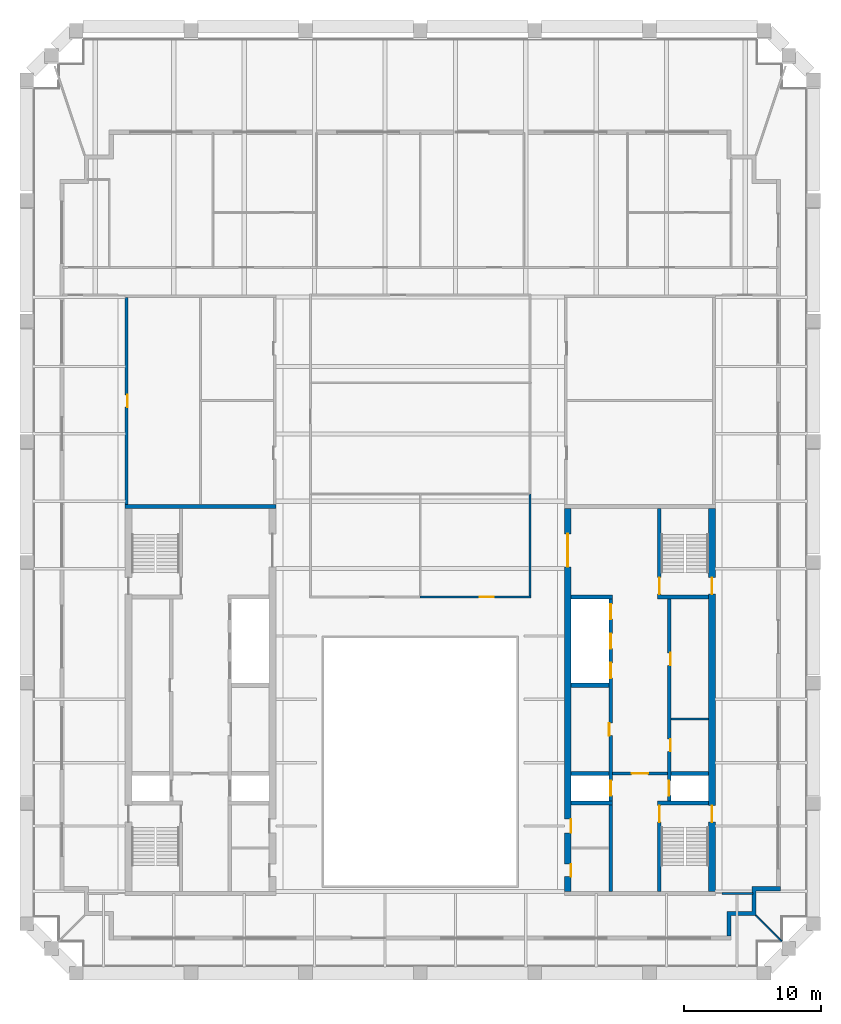
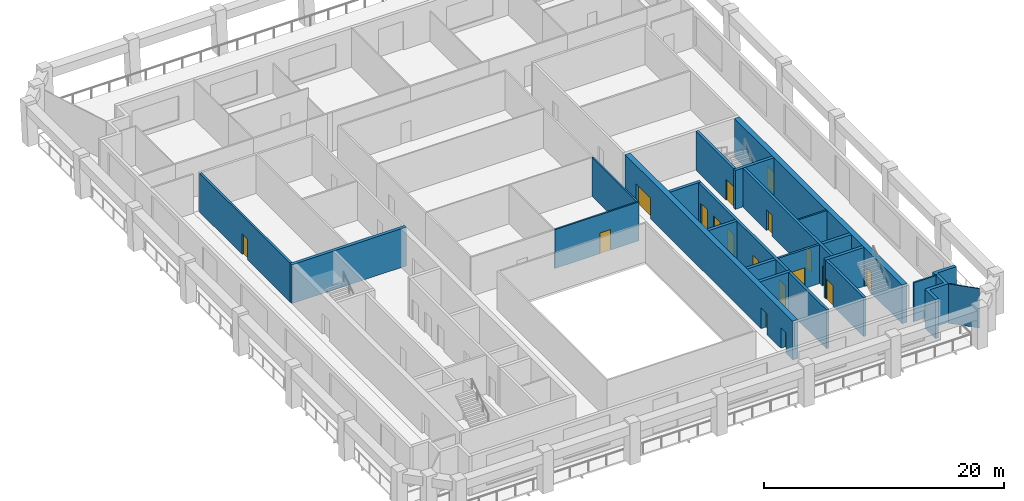
# One storey, part 4 of 9: 22 walls, 18 doors, 18 openings.
"""IFC4 building model written with IfcOpenShell, lengths in metres."""

from ifc_helpers import new_model, si_unit, direction, frame, frame_2d, origin, place, context, subcontext, project, spatial, polyline, rectangle, outline, extrude, material, layer, layer_set, type_object, element, fill, save


model = new_model("IFC4")

# Units and contexts
model_context = context("Model", 3, precision=1e-05, world=origin(), true_north=direction((0.0, 1.0)))
body_context = subcontext(model_context, "Body", "Model", "MODEL_VIEW")
ifc_project = project(units=[si_unit("LENGTHUNIT", "METRE"), si_unit("AREAUNIT", "SQUARE_METRE"), si_unit("VOLUMEUNIT", "CUBIC_METRE"), si_unit("PLANEANGLEUNIT", "RADIAN"), si_unit("MASSUNIT", "GRAM", prefix="KILO")], contexts=[model_context])

# Site, building, storey
site_placement = place(None, origin())
site = spatial("IfcSite", under=ifc_project, at=site_placement, CompositionType="ELEMENT")
building_placement = place(site_placement, origin())
building = spatial("IfcBuilding", under=site, at=building_placement, Name="Ogive Exchange Tower", CompositionType="ELEMENT")
storey_placement = place(building_placement, frame((0.0, 0.0, 355.199951171875)))
storey = spatial("IfcBuildingStorey", under=building, at=storey_placement, Name="L78", CompositionType="ELEMENT", Elevation=355.199951171875)

# Wall
ifc_material_1 = material(Name="Gypsum board partition")
ifc_layer_1 = layer(ifc_material_1, 0.14990234375)
ifc_layer_set_1 = layer_set([ifc_layer_1], Name="Core room partition 150 gypsum")
wall_type_1 = type_object("IfcWallType", Name="Core room partition 150 gypsum", PredefinedType="PARTITIONING", material=ifc_layer_set_1)
wall_1_placement = place(storey_placement, frame((18.25, 10.10009765625, 0.0), z_axis=(0.0, 0.0, 1.0), x_axis=(1.0, 0.0, 0.0)))
element("IfcWall", 1, at=wall_1_placement, inside=storey, type_object=wall_type_1, Name="E row A bay partition 1-1", PredefinedType="PARTITIONING", context=body_context, shape_type="SweptSolid", body=[
    extrude(rectangle(XDim=2.75, YDim=0.14990234375, at=frame_2d((1.375, 0.0))), origin(), (0.0, 0.0, 1.0), 3.949951171875),
])

# Wall, opening, door
ifc_material_2 = material(Name="Fire partition EI 60 150")
ifc_layer_2 = layer(ifc_material_2, 0.14990234375)
ifc_layer_set_2 = layer_set([ifc_layer_2], Name="Fire partition EI 60 150")
wall_type_2 = type_object("IfcWallType", Name="Fire partition EI 60 150", PredefinedType="PARTITIONING", material=ifc_layer_set_2)
wall_2_placement = place(storey_placement, frame((0.0, 19.0, 0.0), z_axis=(0.0, 0.0, 1.0), x_axis=(1.0, 0.0, 0.0)))
wall_2 = element("IfcWall", 2, at=wall_2_placement, inside=storey, type_object=wall_type_2, Name="L78-PWL-022", PredefinedType="PARTITIONING", context=body_context, shape_type="SweptSolid", body=[
    extrude(rectangle(XDim=8.074951171875, YDim=0.14990234375, at=frame_2d((4.03759765625, 0.0))), origin(), (0.0, 0.0, 1.0), 3.949951171875),
])
opening_1_placement = place(wall_2_placement, frame((4.35009765625, 0.0, 0.0)))
opening_1 = element("IfcOpeningElement", 3, at=opening_1_placement, cuts=wall_2, Name="Opening L78-I13", PredefinedType="OPENING", context=body_context, shape_type="SweptSolid", body=[
    extrude(rectangle(XDim=1.0, YDim=2.10009765625, at=frame_2d((0.5, 1.050048828125))), frame((0.0, 0.0849609375, 0.0), z_axis=(0.0, -1.0, 0.0), x_axis=(1.0, 0.0, 0.0)), (0.0, 0.0, 1.0), 0.169921875),
])
ifc_material_3 = material(Name="Fire door FD 30S 1000 x 2100")
door_type_1 = type_object("IfcDoorType", Name="Fire door FD 30S 1000 x 2100", OperationType="NOTDEFINED", PredefinedType="DOOR", material=ifc_material_3)
door_1_placement = place(opening_1_placement, origin())
door_1 = element("IfcDoor", 4, at=door_1_placement, inside=storey, type_object=door_type_1, Name="L78-IDR-013", ObjectType="DT3", OperationType="SINGLE_SWING_LEFT", OverallHeight=2.10009765625, OverallWidth=1.0, PredefinedType="DOOR", context=body_context, shape_type="SweptSolid", body=[
    extrude(rectangle(XDim=1.0, YDim=2.10009765625, at=frame_2d((0.5, 1.050048828125))), frame((0.0, 0.02490234375, 0.0), z_axis=(0.0, -1.0, 0.0), x_axis=(1.0, 0.0, 0.0)), (0.0, 0.0, 1.0), 0.050048828125),
])
fill(opening_1, door_1)

# Walls
wall_3_placement = place(storey_placement, frame((8.0, 19.074951171875, 0.0), z_axis=(0.0, 0.0, 1.0), x_axis=(0.0, 1.0, 0.0)))
element("IfcWall", 5, at=wall_3_placement, inside=storey, type_object=wall_type_2, Name="L78-PWL-028", PredefinedType="PARTITIONING", context=body_context, shape_type="SweptSolid", body=[
    extrude(rectangle(XDim=7.425048828125, YDim=0.14990234375, at=frame_2d((3.71240234375, 0.0))), origin(), (0.0, 0.0, 1.0), 3.949951171875),
])
wall_4_placement = place(storey_placement, frame((22.0, -2.60009765625, 0.0), z_axis=(0.0, 0.0, 1.0), x_axis=(1.0, 0.0, 0.0)))
element("IfcWall", 6, at=wall_4_placement, inside=storey, type_object=wall_type_2, Name="L78-PWL-037", PredefinedType="PARTITIONING", context=body_context, shape_type="SweptSolid", body=[
    extrude(rectangle(XDim=2.25, YDim=0.14990234375, at=frame_2d((1.125, 0.0))), origin(), (0.0, 0.0, 1.0), 3.949951171875),
])
ifc_material_4 = material(Name="Precast concrete C40/50", Category="concrete")
ifc_layer_3 = layer(ifc_material_4, 0.300048828125)
ifc_layer_set_3 = layer_set([ifc_layer_3], Name="Limestone-faced wall 300")
wall_type_3 = type_object("IfcWallType", Name="Limestone-faced wall 300", PredefinedType="STANDARD", material=ifc_layer_set_3)
wall_5_placement = place(storey_placement, origin())
element("IfcWall", 7, at=wall_5_placement, inside=storey, type_object=wall_type_3, Name="External corner wall C1", PredefinedType="STANDARD", context=body_context, shape_type="SweptSolid", body=[
    extrude(outline(polyline([(24.14990234375, -3.89990234375), (24.14990234375, -2.10009765625), (26.25, -2.10009765625), (26.25, -2.39990234375), (24.449951171875, -2.39990234375), (24.449951171875, -4.199951171875), (22.64990234375, -4.199951171875), (22.64990234375, -5.699951171875), (22.35009765625, -5.699951171875), (22.35009765625, -3.89990234375), (24.14990234375, -3.89990234375)])), origin(), (0.0, 0.0, 1.0), 3.949951171875),
])
ifc_material_5 = material(Name="Laminated safety glass in steel frame", Category="steel")
ifc_layer_4 = layer(ifc_material_5, 0.10009765625)
ifc_layer_set_4 = layer_set([ifc_layer_4], Name="Loggia end screen 100")
wall_type_4 = type_object("IfcWallType", Name="Loggia end screen 100", PredefinedType="STANDARD", material=ifc_layer_set_4)
wall_6_placement = place(storey_placement, frame((24.449951171875, -4.199951171875, -0.050048828125), z_axis=(0.0, 0.0, 1.0), x_axis=(0.707106781187, -0.707106781187, 0.0)))
element("IfcWall", 8, at=wall_6_placement, inside=storey, type_object=wall_type_4, Name="Loggia end screen C1", PredefinedType="STANDARD", context=body_context, shape_type="SweptSolid", body=[
    extrude(rectangle(XDim=2.667236328125, YDim=0.10009765625, at=frame_2d((1.33349609375, 0.0))), origin(), (0.0, 0.0, 1.0), 4.0),
])

# Wall, opening, door
ifc_material_6 = material(Name="Concrete C70/85", Category="concrete")
ifc_layer_5 = layer(ifc_material_6, 0.199951171875)
ifc_layer_set_5 = layer_set([ifc_layer_5], Name="RC core wall 200 C70/85")
wall_type_5 = type_object("IfcWallType", Name="RC core wall 200 C70/85", PredefinedType="SHEAR", material=ifc_layer_set_5)
wall_7_placement = place(storey_placement, frame((-21.39990234375, 25.75, 0.0), z_axis=(0.0, 0.0, 1.0), x_axis=(0.0, 1.0, 0.0)))
wall_7 = element("IfcWall", 9, at=wall_7_placement, inside=storey, type_object=wall_type_5, Name="W annex N outer wall", PredefinedType="SHEAR", context=body_context, shape_type="SweptSolid", body=[
    extrude(rectangle(XDim=15.050048828125, YDim=0.199951171875, at=frame_2d((7.52490234375, 0.0))), origin(), (0.0, 0.0, 1.0), 3.949951171875),
])
opening_2_placement = place(wall_7_placement, frame((7.074951171875, 0.0, 0.0)))
opening_2 = element("IfcOpeningElement", 10, at=opening_2_placement, cuts=wall_7, Name="Opening L78-C16", PredefinedType="OPENING", context=body_context, shape_type="SweptSolid", body=[
    extrude(rectangle(XDim=0.89990234375, YDim=2.10009765625, at=frame_2d((0.449951171875, 1.050048828125))), frame((0.0, 0.10986328125, 0.0), z_axis=(0.0, -1.0, 0.0), x_axis=(1.0, 0.0, 0.0)), (0.0, 0.0, 1.0), 0.219970703125),
])
ifc_material_7 = material(Name="Timber fire door", Category="wood")
door_type_2 = type_object("IfcDoorType", Name="Core room door FD30S 900 x 2100", OperationType="NOTDEFINED", PredefinedType="DOOR", material=ifc_material_7)
door_2_placement = place(opening_2_placement, origin())
door_2 = element("IfcDoor", 11, at=door_2_placement, inside=storey, type_object=door_type_2, Name="Core room door", ObjectType="CD6", OperationType="SINGLE_SWING_RIGHT", OverallHeight=2.10009765625, OverallWidth=0.89990234375, PredefinedType="DOOR", context=body_context, shape_type="SweptSolid", body=[
    extrude(rectangle(XDim=0.89990234375, YDim=2.10009765625, at=frame_2d((0.449951171875, 1.050048828125))), frame((0.0, -0.0498046875, 0.0), z_axis=(0.0, -1.0, 0.0), x_axis=(1.0, 0.0, 0.0)), (0.0, 0.0, 1.0), 0.050048828125),
])
fill(opening_2, door_2)

wall_8_placement = place(storey_placement, frame((14.0, 6.142822265625, 0.0), z_axis=(0.0, 0.0, 1.0), x_axis=(1.0, 0.0, 0.0)))
wall_8 = element("IfcWall", 12, at=wall_8_placement, inside=storey, type_object=wall_type_5, Name="E firefighting lobby wall", PredefinedType="SHEAR", context=body_context, shape_type="SweptSolid", body=[
    extrude(rectangle(XDim=4.0, YDim=0.199951171875, at=frame_2d((2.0, 0.0))), origin(), (0.0, 0.0, 1.0), 3.949951171875),
])
opening_3_placement = place(wall_8_placement, frame((1.39990234375, 0.0, 0.0)))
opening_3 = element("IfcOpeningElement", 13, at=opening_3_placement, cuts=wall_8, Name="Opening L78-C27", PredefinedType="OPENING", context=body_context, shape_type="SweptSolid", body=[
    extrude(rectangle(XDim=1.199951171875, YDim=2.10009765625, at=frame_2d((0.60009765625, 1.050048828125))), frame((0.0, 0.10986328125, 0.0), z_axis=(0.0, -1.0, 0.0), x_axis=(1.0, 0.0, 0.0)), (0.0, 0.0, 1.0), 0.219970703125),
])
ifc_material_8 = material(Name="Steel fire door", Category="steel")
door_type_3 = type_object("IfcDoorType", Name="Firefighting lobby door FD60 1200 x 2100", OperationType="NOTDEFINED", PredefinedType="DOOR", material=ifc_material_8)
door_3_placement = place(opening_3_placement, frame((1.199951171875, 0.0, 0.0), z_axis=(0.0, 0.0, 1.0), x_axis=(-1.0, 0.0, 0.0)))
door_3 = element("IfcDoor", 14, at=door_3_placement, inside=storey, type_object=door_type_3, Name="Firefighting lobby door", ObjectType="CD3", OperationType="SINGLE_SWING_RIGHT", OverallHeight=2.10009765625, OverallWidth=1.199951171875, PredefinedType="DOOR", context=body_context, shape_type="SweptSolid", body=[
    extrude(rectangle(XDim=1.199951171875, YDim=2.10009765625, at=frame_2d((0.60009765625, 1.050048828125))), frame((0.0, 0.02490234375, 0.0), z_axis=(0.0, -1.0, 0.0), x_axis=(1.0, 0.0, 0.0)), (0.0, 0.0, 1.0), 0.050048828125),
])
fill(opening_3, door_3)

ifc_layer_6 = layer(ifc_material_6, 0.25)
ifc_layer_set_6 = layer_set([ifc_layer_6], Name="RC core wall 250 C70/85")
wall_type_6 = type_object("IfcWallType", Name="RC core wall 250 C70/85", PredefinedType="SHEAR", material=ifc_layer_set_6)
wall_9_placement = place(storey_placement, frame((17.425048828125, -2.449951171875, 0.0), z_axis=(0.0, 0.0, 1.0), x_axis=(0.0, 1.0, 0.0)))
wall_9 = element("IfcWall", 15, at=wall_9_placement, inside=storey, type_object=wall_type_6, Name="E stair S front wall", PredefinedType="SHEAR", context=body_context, shape_type="SweptSolid", body=[
    extrude(rectangle(XDim=6.300048828125, YDim=0.25, at=frame_2d((3.14990234375, 0.0))), origin(), (0.0, 0.0, 1.0), 3.949951171875),
])
opening_4_placement = place(wall_9_placement, frame((5.050048828125, 0.0, 0.0)))
opening_4 = element("IfcOpeningElement", 16, at=opening_4_placement, cuts=wall_9, Name="Opening L78-C29", PredefinedType="OPENING", context=body_context, shape_type="SweptSolid", body=[
    extrude(rectangle(XDim=1.199951171875, YDim=2.10009765625, at=frame_2d((0.60009765625, 1.050048828125))), frame((0.0, 0.135009765625, 0.0), z_axis=(0.0, -1.0, 0.0), x_axis=(1.0, 0.0, 0.0)), (0.0, 0.0, 1.0), 0.27001953125),
])
door_type_4 = type_object("IfcDoorType", Name="Stair door FD90 1200 x 2100", OperationType="NOTDEFINED", PredefinedType="DOOR", material=ifc_material_8)
door_4_placement = place(opening_4_placement, frame((1.199951171875, 0.0, 0.0), z_axis=(0.0, 0.0, 1.0), x_axis=(-1.0, 0.0, 0.0)))
door_4 = element("IfcDoor", 17, at=door_4_placement, inside=storey, type_object=door_type_4, Name="Stair door", ObjectType="CD5", OperationType="SINGLE_SWING_RIGHT", OverallHeight=2.10009765625, OverallWidth=1.199951171875, PredefinedType="DOOR", context=body_context, shape_type="SweptSolid", body=[
    extrude(rectangle(XDim=1.199951171875, YDim=2.10009765625, at=frame_2d((0.60009765625, 1.050048828125))), frame((0.0, 0.02490234375, 0.0), z_axis=(0.0, -1.0, 0.0), x_axis=(1.0, 0.0, 0.0)), (0.0, 0.0, 1.0), 0.050048828125),
])
fill(opening_4, door_4)

wall_10_placement = place(storey_placement, frame((17.425048828125, 19.14990234375, 0.0), z_axis=(0.0, 0.0, 1.0), x_axis=(0.0, 1.0, 0.0)))
wall_10 = element("IfcWall", 18, at=wall_10_placement, inside=storey, type_object=wall_type_6, Name="E stair N front wall", PredefinedType="SHEAR", context=body_context, shape_type="SweptSolid", body=[
    extrude(rectangle(XDim=6.300048828125, YDim=0.25, at=frame_2d((3.14990234375, 0.0))), origin(), (0.0, 0.0, 1.0), 3.949951171875),
])
opening_5_placement = place(wall_10_placement, frame((0.050048828125, 0.0, 0.0)))
opening_5 = element("IfcOpeningElement", 19, at=opening_5_placement, cuts=wall_10, Name="Opening L78-C31", PredefinedType="OPENING", context=body_context, shape_type="SweptSolid", body=[
    extrude(rectangle(XDim=1.199951171875, YDim=2.10009765625, at=frame_2d((0.60009765625, 1.050048828125))), frame((0.0, 0.135009765625, 0.0), z_axis=(0.0, -1.0, 0.0), x_axis=(1.0, 0.0, 0.0)), (0.0, 0.0, 1.0), 0.27001953125),
])
door_5_placement = place(opening_5_placement, frame((1.199951171875, 0.0, 0.0), z_axis=(0.0, 0.0, 1.0), x_axis=(-1.0, 0.0, 0.0)))
door_5 = element("IfcDoor", 20, at=door_5_placement, inside=storey, type_object=door_type_4, Name="Stair door", ObjectType="CD5", OperationType="SINGLE_SWING_LEFT", OverallHeight=2.10009765625, OverallWidth=1.199951171875, PredefinedType="DOOR", context=body_context, shape_type="SweptSolid", body=[
    extrude(rectangle(XDim=1.199951171875, YDim=2.10009765625, at=frame_2d((0.60009765625, 1.050048828125))), frame((0.0, 0.02490234375, 0.0), z_axis=(0.0, -1.0, 0.0), x_axis=(1.0, 0.0, 0.0)), (0.0, 0.0, 1.0), 0.050048828125),
])
fill(opening_5, door_5)

# Wall, openings, doors
wall_11_placement = place(storey_placement, frame((18.125, 4.14990234375, 0.0), z_axis=(0.0, 0.0, 1.0), x_axis=(0.0, 1.0, 0.0)))
wall_11 = element("IfcWall", 21, at=wall_11_placement, inside=storey, type_object=wall_type_6, Name="E row A front wall", PredefinedType="SHEAR", context=body_context, shape_type="SweptSolid", body=[
    extrude(rectangle(XDim=14.7001953125, YDim=0.25, at=frame_2d((7.35009765625, 0.0))), origin(), (0.0, 0.0, 1.0), 3.949951171875),
])
opening_6_placement = place(wall_11_placement, frame((3.596435546875, 0.0, 0.0)))
opening_6 = element("IfcOpeningElement", 22, at=opening_6_placement, cuts=wall_11, Name="Opening L78-C19", PredefinedType="OPENING", context=body_context, shape_type="SweptSolid", body=[
    extrude(rectangle(XDim=0.89990234375, YDim=2.10009765625, at=frame_2d((0.449951171875, 1.050048828125))), frame((0.0, 0.135009765625, 0.0), z_axis=(0.0, -1.0, 0.0), x_axis=(1.0, 0.0, 0.0)), (0.0, 0.0, 1.0), 0.27001953125),
])
opening_7_placement = place(wall_11_placement, frame((9.875, 0.0, 0.0)))
opening_7 = element("IfcOpeningElement", 23, at=opening_7_placement, cuts=wall_11, Name="Opening L78-C20", PredefinedType="OPENING", context=body_context, shape_type="SweptSolid", body=[
    extrude(rectangle(XDim=0.89990234375, YDim=2.10009765625, at=frame_2d((0.449951171875, 1.050048828125))), frame((0.0, 0.135009765625, 0.0), z_axis=(0.0, -1.0, 0.0), x_axis=(1.0, 0.0, 0.0)), (0.0, 0.0, 1.0), 0.27001953125),
])
opening_8_placement = place(wall_11_placement, frame((0.371337890625, 0.0, 0.0)))
opening_8 = element("IfcOpeningElement", 24, at=opening_8_placement, cuts=wall_11, Name="Opening L78-C21", PredefinedType="OPENING", context=body_context, shape_type="SweptSolid", body=[
    extrude(rectangle(XDim=1.10009765625, YDim=2.10009765625, at=frame_2d((0.550048828125, 1.050048828125))), frame((0.0, 0.135009765625, 0.0), z_axis=(0.0, -1.0, 0.0), x_axis=(1.0, 0.0, 0.0)), (0.0, 0.0, 1.0), 0.27001953125),
])
ifc_material_9 = material(Name="Stainless steel", Category="steel")
door_type_5 = type_object("IfcDoorType", Name="Lift landing door FD90 1100 x 2100", OperationType="SLIDING_TO_LEFT", PredefinedType="DOOR", material=ifc_material_9)
door_6_placement = place(opening_8_placement, origin())
door_6 = element("IfcDoor", 25, at=door_6_placement, inside=storey, type_object=door_type_5, Name="Lift landing door FF2", ObjectType="LD", OperationType="SLIDING_TO_LEFT", OverallHeight=2.10009765625, OverallWidth=1.10009765625, PredefinedType="DOOR", context=body_context, shape_type="SweptSolid", body=[
    extrude(rectangle(XDim=1.10009765625, YDim=2.10009765625, at=frame_2d((0.550048828125, 1.050048828125))), frame((0.0, 0.02490234375, 0.0), z_axis=(0.0, -1.0, 0.0), x_axis=(1.0, 0.0, 0.0)), (0.0, 0.0, 1.0), 0.050048828125),
])
fill(opening_8, door_6)
door_type_6 = type_object("IfcDoorType", Name="Riser door FD60 900 x 2100", OperationType="NOTDEFINED", PredefinedType="DOOR", material=ifc_material_8)
door_7_placement = place(opening_6_placement, frame((0.89990234375, -0.2001953125, 0.0), z_axis=(0.0, 0.0, 1.0), x_axis=(-1.0, 0.0, 0.0)))
door_7 = element("IfcDoor", 26, at=door_7_placement, inside=storey, type_object=door_type_6, Name="Riser door", ObjectType="CD2", OperationType="SINGLE_SWING_RIGHT", OverallHeight=2.10009765625, OverallWidth=0.89990234375, PredefinedType="DOOR", context=body_context, shape_type="SweptSolid", body=[
    extrude(rectangle(XDim=0.89990234375, YDim=2.10009765625, at=frame_2d((0.449951171875, 1.050048828125))), frame((0.0, -0.0751953125, 0.0), z_axis=(0.0, -1.0, 0.0), x_axis=(1.0, 0.0, 0.0)), (0.0, 0.0, 1.0), 0.050048828125),
])
fill(opening_6, door_7)
door_8_placement = place(opening_7_placement, frame((0.89990234375, -0.2001953125, 0.0), z_axis=(0.0, 0.0, 1.0), x_axis=(-1.0, 0.0, 0.0)))
door_8 = element("IfcDoor", 27, at=door_8_placement, inside=storey, type_object=door_type_6, Name="Riser door", ObjectType="CD2", OperationType="SINGLE_SWING_LEFT", OverallHeight=2.10009765625, OverallWidth=0.89990234375, PredefinedType="DOOR", context=body_context, shape_type="SweptSolid", body=[
    extrude(rectangle(XDim=0.89990234375, YDim=2.10009765625, at=frame_2d((0.449951171875, 1.050048828125))), frame((0.0, -0.0751953125, 0.0), z_axis=(0.0, -1.0, 0.0), x_axis=(1.0, 0.0, 0.0)), (0.0, 0.0, 1.0), 0.050048828125),
])
fill(opening_7, door_8)

wall_12_placement = place(storey_placement, frame((13.875, -2.449951171875, 0.0), z_axis=(0.0, 0.0, 1.0), x_axis=(0.0, 1.0, 0.0)))
wall_12 = element("IfcWall", 28, at=wall_12_placement, inside=storey, type_object=wall_type_6, Name="E row B front wall", PredefinedType="SHEAR", context=body_context, shape_type="SweptSolid", body=[
    extrude(rectangle(XDim=21.300048828125, YDim=0.25, at=frame_2d((10.64990234375, 0.0))), origin(), (0.0, 0.0, 1.0), 3.949951171875),
])
opening_9_placement = place(wall_12_placement, frame((11.357177734375, 0.0, 0.0)))
opening_9 = element("IfcOpeningElement", 29, at=opening_9_placement, cuts=wall_12, Name="Opening L78-C22", PredefinedType="OPENING", context=body_context, shape_type="SweptSolid", body=[
    extrude(rectangle(XDim=0.89990234375, YDim=2.10009765625, at=frame_2d((0.449951171875, 1.050048828125))), frame((0.0, 0.135009765625, 0.0), z_axis=(0.0, -1.0, 0.0), x_axis=(1.0, 0.0, 0.0)), (0.0, 0.0, 1.0), 0.27001953125),
])
opening_10_placement = place(wall_12_placement, frame((6.971435546875, 0.0, 0.0)))
opening_10 = element("IfcOpeningElement", 30, at=opening_10_placement, cuts=wall_12, Name="Opening L78-C23", PredefinedType="OPENING", context=body_context, shape_type="SweptSolid", body=[
    extrude(rectangle(XDim=1.10009765625, YDim=2.10009765625, at=frame_2d((0.550048828125, 1.050048828125))), frame((0.0, 0.135009765625, 0.0), z_axis=(0.0, -1.0, 0.0), x_axis=(1.0, 0.0, 0.0)), (0.0, 0.0, 1.0), 0.27001953125),
])
opening_11_placement = place(wall_12_placement, frame((15.54296875, 0.0, 0.0)))
opening_11 = element("IfcOpeningElement", 31, at=opening_11_placement, cuts=wall_12, Name="Opening L78-C24", PredefinedType="OPENING", context=body_context, shape_type="SweptSolid", body=[
    extrude(rectangle(XDim=1.10009765625, YDim=2.10009765625, at=frame_2d((0.550048828125, 1.050048828125))), frame((0.0, 0.135009765625, 0.0), z_axis=(0.0, -1.0, 0.0), x_axis=(1.0, 0.0, 0.0)), (0.0, 0.0, 1.0), 0.27001953125),
])
opening_12_placement = place(wall_12_placement, frame((17.685791015625, 0.0, 0.0)))
opening_12 = element("IfcOpeningElement", 32, at=opening_12_placement, cuts=wall_12, Name="Opening L78-C25", PredefinedType="OPENING", context=body_context, shape_type="SweptSolid", body=[
    extrude(rectangle(XDim=1.10009765625, YDim=2.10009765625, at=frame_2d((0.550048828125, 1.050048828125))), frame((0.0, 0.135009765625, 0.0), z_axis=(0.0, -1.0, 0.0), x_axis=(1.0, 0.0, 0.0)), (0.0, 0.0, 1.0), 0.27001953125),
])
opening_13_placement = place(wall_12_placement, frame((19.82861328125, 0.0, 0.0)))
opening_13 = element("IfcOpeningElement", 33, at=opening_13_placement, cuts=wall_12, Name="Opening L78-C26", PredefinedType="OPENING", context=body_context, shape_type="SweptSolid", body=[
    extrude(rectangle(XDim=1.10009765625, YDim=2.10009765625, at=frame_2d((0.550048828125, 1.050048828125))), frame((0.0, 0.135009765625, 0.0), z_axis=(0.0, -1.0, 0.0), x_axis=(1.0, 0.0, 0.0)), (0.0, 0.0, 1.0), 0.27001953125),
])
door_9_placement = place(opening_10_placement, origin())
door_9 = element("IfcDoor", 34, at=door_9_placement, inside=storey, type_object=door_type_5, Name="Lift landing door SV2", ObjectType="LD", OperationType="SLIDING_TO_LEFT", OverallHeight=2.10009765625, OverallWidth=1.10009765625, PredefinedType="DOOR", context=body_context, shape_type="SweptSolid", body=[
    extrude(rectangle(XDim=1.10009765625, YDim=2.10009765625, at=frame_2d((0.550048828125, 1.050048828125))), frame((0.0, 0.02490234375, 0.0), z_axis=(0.0, -1.0, 0.0), x_axis=(1.0, 0.0, 0.0)), (0.0, 0.0, 1.0), 0.050048828125),
])
fill(opening_10, door_9)
door_10_placement = place(opening_11_placement, origin())
door_10 = element("IfcDoor", 35, at=door_10_placement, inside=storey, type_object=door_type_5, Name="Lift landing door E-H1", ObjectType="LD", OperationType="SLIDING_TO_LEFT", OverallHeight=2.10009765625, OverallWidth=1.10009765625, PredefinedType="DOOR", context=body_context, shape_type="SweptSolid", body=[
    extrude(rectangle(XDim=1.10009765625, YDim=2.10009765625, at=frame_2d((0.550048828125, 1.050048828125))), frame((0.0, 0.02490234375, 0.0), z_axis=(0.0, -1.0, 0.0), x_axis=(1.0, 0.0, 0.0)), (0.0, 0.0, 1.0), 0.050048828125),
])
fill(opening_11, door_10)
door_11_placement = place(opening_12_placement, origin())
door_11 = element("IfcDoor", 36, at=door_11_placement, inside=storey, type_object=door_type_5, Name="Lift landing door E-H2", ObjectType="LD", OperationType="SLIDING_TO_LEFT", OverallHeight=2.10009765625, OverallWidth=1.10009765625, PredefinedType="DOOR", context=body_context, shape_type="SweptSolid", body=[
    extrude(rectangle(XDim=1.10009765625, YDim=2.10009765625, at=frame_2d((0.550048828125, 1.050048828125))), frame((0.0, 0.02490234375, 0.0), z_axis=(0.0, -1.0, 0.0), x_axis=(1.0, 0.0, 0.0)), (0.0, 0.0, 1.0), 0.050048828125),
])
fill(opening_12, door_11)
door_12_placement = place(opening_13_placement, origin())
door_12 = element("IfcDoor", 37, at=door_12_placement, inside=storey, type_object=door_type_5, Name="Lift landing door E-H3", ObjectType="LD", OperationType="SLIDING_TO_LEFT", OverallHeight=2.10009765625, OverallWidth=1.10009765625, PredefinedType="DOOR", context=body_context, shape_type="SweptSolid", body=[
    extrude(rectangle(XDim=1.10009765625, YDim=2.10009765625, at=frame_2d((0.550048828125, 1.050048828125))), frame((0.0, 0.02490234375, 0.0), z_axis=(0.0, -1.0, 0.0), x_axis=(1.0, 0.0, 0.0)), (0.0, 0.0, 1.0), 0.050048828125),
])
fill(opening_13, door_12)
door_13_placement = place(opening_9_placement, origin())
door_13 = element("IfcDoor", 38, at=door_13_placement, inside=storey, type_object=door_type_6, Name="Riser door", ObjectType="CD2", OperationType="SINGLE_SWING_RIGHT", OverallHeight=2.10009765625, OverallWidth=0.89990234375, PredefinedType="DOOR", context=body_context, shape_type="SweptSolid", body=[
    extrude(rectangle(XDim=0.89990234375, YDim=2.10009765625, at=frame_2d((0.449951171875, 1.050048828125))), frame((0.0, 0.125, 0.0), z_axis=(0.0, -1.0, 0.0), x_axis=(1.0, 0.0, 0.0)), (0.0, 0.0, 1.0), 0.050048828125),
])
fill(opening_9, door_13)

# Walls
ifc_layer_7 = layer(ifc_material_6, 0.300048828125)
ifc_layer_set_7 = layer_set([ifc_layer_7], Name="RC core wall 300 C70/85")
wall_type_7 = type_object("IfcWallType", Name="RC core wall 300 C70/85", PredefinedType="SHEAR", material=ifc_layer_set_7)
wall_13_placement = place(storey_placement, frame((-21.5, 25.60009765625, 0.0), z_axis=(0.0, 0.0, 1.0), x_axis=(1.0, 0.0, 0.0)))
element("IfcWall", 39, at=wall_13_placement, inside=storey, type_object=wall_type_7, Name="W north end wall", PredefinedType="SHEAR", context=body_context, shape_type="SweptSolid", body=[
    extrude(rectangle(XDim=11.0, YDim=0.300048828125, at=frame_2d((5.5, 0.0))), origin(), (0.0, 0.0, 1.0), 3.949951171875),
])
for number, where, z_axis, x_axis, name in (
    (40, (17.300048828125, 4.0, 0.0), (0.0, 0.0, 1.0), (1.0, 0.0, 0.0), "E stair S north wall"),
    (41, (17.300048828125, 19.0, 0.0), (0.0, 0.0, 1.0), (1.0, 0.0, 0.0), "E stair N south wall"),
):
    element("IfcWall", number, at=place(storey_placement, frame(where, z_axis=z_axis, x_axis=x_axis)), inside=storey, type_object=wall_type_7, Name=name, PredefinedType="SHEAR", context=body_context, shape_type="SweptSolid", body=[
        extrude(rectangle(XDim=3.699951171875, YDim=0.300048828125, at=frame_2d((1.85009765625, 0.0))), origin(), (0.0, 0.0, 1.0), 3.949951171875),
    ])
wall_14_placement = place(storey_placement, frame((18.25, 6.142822265625, 0.0), z_axis=(0.0, 0.0, 1.0), x_axis=(1.0, 0.0, 0.0)))
element("IfcWall", 42, at=wall_14_placement, inside=storey, type_object=wall_type_7, Name="E row A divider 1", PredefinedType="SHEAR", context=body_context, shape_type="SweptSolid", body=[
    extrude(rectangle(XDim=2.75, YDim=0.300048828125, at=frame_2d((1.375, 0.0))), origin(), (0.0, 0.0, 1.0), 3.949951171875),
])
wall_15_placement = place(storey_placement, frame((11.0, 4.0, 0.0), z_axis=(0.0, 0.0, 1.0), x_axis=(1.0, 0.0, 0.0)))
element("IfcWall", 43, at=wall_15_placement, inside=storey, type_object=wall_type_7, Name="E row B divider 0", PredefinedType="SHEAR", context=body_context, shape_type="SweptSolid", body=[
    extrude(rectangle(XDim=3.0, YDim=0.300048828125, at=frame_2d((1.5, 0.0))), origin(), (0.0, 0.0, 1.0), 3.949951171875),
])
for number, where, z_axis, x_axis, name in (
    (44, (11.0, 6.142822265625, 0.0), (0.0, 0.0, 1.0), (1.0, 0.0, 0.0), "E row B divider 1"),
    (45, (11.0, 12.5712890625, 0.0), (0.0, 0.0, 1.0), (1.0, 0.0, 0.0), "E row B divider 4"),
):
    element("IfcWall", number, at=place(storey_placement, frame(where, z_axis=z_axis, x_axis=x_axis)), inside=storey, type_object=wall_type_7, Name=name, PredefinedType="SHEAR", context=body_context, shape_type="SweptSolid", body=[
        extrude(rectangle(XDim=2.75, YDim=0.300048828125, at=frame_2d((1.375, 0.0))), origin(), (0.0, 0.0, 1.0), 3.949951171875),
    ])
wall_16_placement = place(storey_placement, frame((11.0, 19.0, 0.0), z_axis=(0.0, 0.0, 1.0), x_axis=(1.0, 0.0, 0.0)))
element("IfcWall", 46, at=wall_16_placement, inside=storey, type_object=wall_type_7, Name="E row B divider 7", PredefinedType="SHEAR", context=body_context, shape_type="SweptSolid", body=[
    extrude(rectangle(XDim=3.0, YDim=0.300048828125, at=frame_2d((1.5, 0.0))), origin(), (0.0, 0.0, 1.0), 3.949951171875),
])

# Wall, openings, doors
ifc_layer_8 = layer(ifc_material_6, 0.5)
ifc_layer_set_8 = layer_set([ifc_layer_8], Name="RC core wall 500 C70/85")
wall_type_8 = type_object("IfcWallType", Name="RC core wall 500 C70/85", PredefinedType="SHEAR", material=ifc_layer_set_8)
wall_17_placement = place(storey_placement, frame((21.25, -2.449951171875, 0.0), z_axis=(0.0, 0.0, 1.0), x_axis=(0.0, 1.0, 0.0)))
wall_17 = element("IfcWall", 47, at=wall_17_placement, inside=storey, type_object=wall_type_8, Name="E outer wall", PredefinedType="SHEAR", context=body_context, shape_type="SweptSolid", body=[
    extrude(rectangle(XDim=27.89990234375, YDim=0.5, at=frame_2d((13.949951171875, 0.0))), origin(), (0.0, 0.0, 1.0), 3.949951171875),
])
opening_14_placement = place(wall_17_placement, frame((5.050048828125, 0.0, 0.0)))
opening_14 = element("IfcOpeningElement", 48, at=opening_14_placement, cuts=wall_17, Name="Opening L78-C30", PredefinedType="OPENING", context=body_context, shape_type="SweptSolid", body=[
    extrude(rectangle(XDim=1.199951171875, YDim=2.10009765625, at=frame_2d((0.60009765625, 1.050048828125))), frame((0.0, 0.260009765625, 0.0), z_axis=(0.0, -1.0, 0.0), x_axis=(1.0, 0.0, 0.0)), (0.0, 0.0, 1.0), 0.52001953125),
])
opening_15_placement = place(wall_17_placement, frame((21.64990234375, 0.0, 0.0)))
opening_15 = element("IfcOpeningElement", 49, at=opening_15_placement, cuts=wall_17, Name="Opening L78-C32", PredefinedType="OPENING", context=body_context, shape_type="SweptSolid", body=[
    extrude(rectangle(XDim=1.199951171875, YDim=2.10009765625, at=frame_2d((0.60009765625, 1.050048828125))), frame((0.0, 0.260009765625, 0.0), z_axis=(0.0, -1.0, 0.0), x_axis=(1.0, 0.0, 0.0)), (0.0, 0.0, 1.0), 0.52001953125),
])
door_14_placement = place(opening_14_placement, frame((1.199951171875, 0.0, 0.0), z_axis=(0.0, 0.0, 1.0), x_axis=(-1.0, 0.0, 0.0)))
door_14 = element("IfcDoor", 50, at=door_14_placement, inside=storey, type_object=door_type_4, Name="Stair door", ObjectType="CD5", OperationType="SINGLE_SWING_RIGHT", OverallHeight=2.10009765625, OverallWidth=1.199951171875, PredefinedType="DOOR", context=body_context, shape_type="SweptSolid", body=[
    extrude(rectangle(XDim=1.199951171875, YDim=2.10009765625, at=frame_2d((0.60009765625, 1.050048828125))), frame((0.0, 0.02490234375, 0.0), z_axis=(0.0, -1.0, 0.0), x_axis=(1.0, 0.0, 0.0)), (0.0, 0.0, 1.0), 0.050048828125),
])
fill(opening_14, door_14)
door_15_placement = place(opening_15_placement, frame((1.199951171875, 0.0, 0.0), z_axis=(0.0, 0.0, 1.0), x_axis=(-1.0, 0.0, 0.0)))
door_15 = element("IfcDoor", 51, at=door_15_placement, inside=storey, type_object=door_type_4, Name="Stair door", ObjectType="CD5", OperationType="SINGLE_SWING_RIGHT", OverallHeight=2.10009765625, OverallWidth=1.199951171875, PredefinedType="DOOR", context=body_context, shape_type="SweptSolid", body=[
    extrude(rectangle(XDim=1.199951171875, YDim=2.10009765625, at=frame_2d((0.60009765625, 1.050048828125))), frame((0.0, 0.02490234375, 0.0), z_axis=(0.0, -1.0, 0.0), x_axis=(1.0, 0.0, 0.0)), (0.0, 0.0, 1.0), 0.050048828125),
])
fill(opening_15, door_15)

wall_18_placement = place(storey_placement, frame((10.75, -2.449951171875, 0.0), z_axis=(0.0, 0.0, 1.0), x_axis=(0.0, 1.0, 0.0)))
wall_18 = element("IfcWall", 52, at=wall_18_placement, inside=storey, type_object=wall_type_8, Name="E inner wall", PredefinedType="SHEAR", context=body_context, shape_type="SweptSolid", body=[
    extrude(rectangle(XDim=27.89990234375, YDim=0.5, at=frame_2d((13.949951171875, 0.0))), origin(), (0.0, 0.0, 1.0), 3.949951171875),
])
opening_16_placement = place(wall_18_placement, frame((23.64990234375, 0.0, 0.0)))
opening_16 = element("IfcOpeningElement", 53, at=opening_16_placement, cuts=wall_18, Name="Opening L78-C28", PredefinedType="OPENING", context=body_context, shape_type="SweptSolid", body=[
    extrude(rectangle(XDim=2.39990234375, YDim=2.10009765625, at=frame_2d((1.199951171875, 1.050048828125))), frame((0.0, 0.260009765625, 0.0), z_axis=(0.0, -1.0, 0.0), x_axis=(1.0, 0.0, 0.0)), (0.0, 0.0, 1.0), 0.52001953125),
])
opening_17_placement = place(wall_18_placement, frame((1.08740234375, 0.0, 0.0)))
opening_17 = element("IfcOpeningElement", 54, at=opening_17_placement, cuts=wall_18, Name="Opening L78-C33", PredefinedType="OPENING", context=body_context, shape_type="SweptSolid", body=[
    extrude(rectangle(XDim=0.89990234375, YDim=2.10009765625, at=frame_2d((0.449951171875, 1.050048828125))), frame((0.0, 0.260009765625, 0.0), z_axis=(0.0, -1.0, 0.0), x_axis=(1.0, 0.0, 0.0)), (0.0, 0.0, 1.0), 0.52001953125),
])
opening_18_placement = place(wall_18_placement, frame((4.262451171875, 0.0, 0.0)))
opening_18 = element("IfcOpeningElement", 55, at=opening_18_placement, cuts=wall_18, Name="Opening L78-C34", PredefinedType="OPENING", context=body_context, shape_type="SweptSolid", body=[
    extrude(rectangle(XDim=1.0, YDim=2.10009765625, at=frame_2d((0.5, 1.050048828125))), frame((0.0, 0.260009765625, 0.0), z_axis=(0.0, -1.0, 0.0), x_axis=(1.0, 0.0, 0.0)), (0.0, 0.0, 1.0), 0.52001953125),
])
door_type_7 = type_object("IfcDoorType", Name="Accessible WC door FD30S 1000 x 2100", OperationType="NOTDEFINED", PredefinedType="DOOR", material=ifc_material_7)
door_16_placement = place(opening_18_placement, origin())
door_16 = element("IfcDoor", 56, at=door_16_placement, inside=storey, type_object=door_type_7, Name="Accessible WC door", ObjectType="CD7", OperationType="SINGLE_SWING_RIGHT", OverallHeight=2.10009765625, OverallWidth=1.0, PredefinedType="DOOR", context=body_context, shape_type="SweptSolid", body=[
    extrude(rectangle(XDim=1.0, YDim=2.10009765625, at=frame_2d((0.5, 1.050048828125))), frame((0.0, -0.2001953125, 0.0), z_axis=(0.0, -1.0, 0.0), x_axis=(1.0, 0.0, 0.0)), (0.0, 0.0, 1.0), 0.050048828125),
])
fill(opening_18, door_16)
door_17_placement = place(opening_17_placement, origin())
door_17 = element("IfcDoor", 57, at=door_17_placement, inside=storey, type_object=door_type_2, Name="Core room door", ObjectType="CD6", OperationType="SINGLE_SWING_LEFT", OverallHeight=2.10009765625, OverallWidth=0.89990234375, PredefinedType="DOOR", context=body_context, shape_type="SweptSolid", body=[
    extrude(rectangle(XDim=0.89990234375, YDim=2.10009765625, at=frame_2d((0.449951171875, 1.050048828125))), frame((0.0, -0.2001953125, 0.0), z_axis=(0.0, -1.0, 0.0), x_axis=(1.0, 0.0, 0.0)), (0.0, 0.0, 1.0), 0.050048828125),
])
fill(opening_17, door_17)
ifc_material_10 = material(Name="Glazed steel fire door", Category="steel")
door_type_8 = type_object("IfcDoorType", Name="Lift lobby double door FD60 2400 x 2100", OperationType="DOUBLE_DOOR_SINGLE_SWING", PredefinedType="DOOR", material=ifc_material_10)
door_18_placement = place(opening_16_placement, origin())
door_18 = element("IfcDoor", 58, at=door_18_placement, inside=storey, type_object=door_type_8, Name="Lift lobby double door", ObjectType="CD4", OperationType="DOUBLE_DOOR_SINGLE_SWING", OverallHeight=2.10009765625, OverallWidth=2.39990234375, PredefinedType="DOOR", context=body_context, shape_type="SweptSolid", body=[
    extrude(rectangle(XDim=2.39990234375, YDim=2.10009765625, at=frame_2d((1.199951171875, 1.050048828125))), frame((0.0, 0.02490234375, 0.0), z_axis=(0.0, -1.0, 0.0), x_axis=(1.0, 0.0, 0.0)), (0.0, 0.0, 1.0), 0.050048828125),
])
fill(opening_16, door_18)

save(model, "model.ifc")
